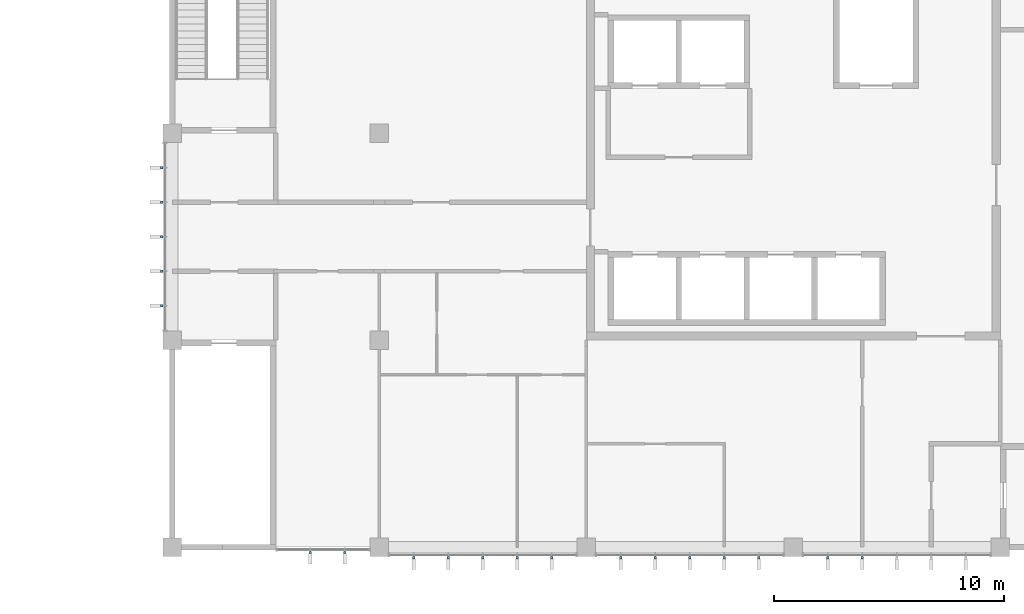
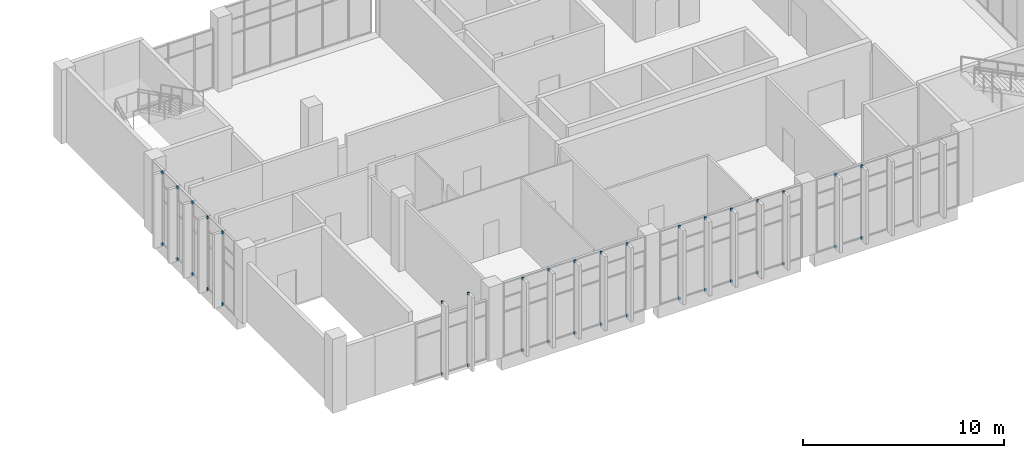
# One storey, part 16 of 19: 38 discrete accessories.
"""IFC4 building model written with IfcOpenShell, lengths in metres."""

from ifc_helpers import new_model, si_unit, direction, frame, origin, origin_2d, place, context, subcontext, project, spatial, rectangle, extrude, material, type_object, element, save


model = new_model("IFC4")

# Units and contexts
model_context = context("Model", 3, precision=1e-05, world=origin(), true_north=direction((0.0, 1.0)))
body_context = subcontext(model_context, "Body", "Model", "MODEL_VIEW")
ifc_project = project(units=[si_unit("LENGTHUNIT", "METRE"), si_unit("AREAUNIT", "SQUARE_METRE"), si_unit("VOLUMEUNIT", "CUBIC_METRE"), si_unit("PLANEANGLEUNIT", "RADIAN"), si_unit("MASSUNIT", "GRAM", prefix="KILO")], contexts=[model_context])

# Site, building, storey
site_placement = place(None, origin())
site = spatial("IfcSite", under=ifc_project, at=site_placement, CompositionType="ELEMENT")
building_placement = place(site_placement, origin())
building = spatial("IfcBuilding", under=site, at=building_placement, Name="Guidao Yard Department Store", CompositionType="ELEMENT")
storey_placement = place(building_placement, frame((0.0, 0.0, 33.0)))
storey = spatial("IfcBuildingStorey", under=building, at=storey_placement, Name="L07", CompositionType="ELEMENT", Elevation=33.0)

# Discrete accessories
ifc_material = material(Name="Steel Q355B", Category="steel")
discrete_accessory_type = type_object("IfcDiscreteAccessoryType", Name="Fin bracket BR3 steel plate", PredefinedType="BRACKET", material=ifc_material)
for number, where, z_axis, x_axis, name in (
    (1, (132.0, -0.22998046875, 0.0), (0.0, 0.0, 1.0), (-1.0, 0.0, 0.0), "Fin bracket"),
    (2, (132.0, -0.22998046875, 4.35009765625), (0.0, 0.0, 1.0), (-1.0, 0.0, 0.0), "Fin bracket"),
    (3, (133.5, -0.22998046875, 0.0), (0.0, 0.0, 1.0), (-1.0, 0.0, 0.0), "Fin bracket"),
    (4, (133.5, -0.22998046875, 4.35009765625), (0.0, 0.0, 1.0), (-1.0, 0.0, 0.0), "Fin bracket"),
    (5, (136.5, -0.4599609375, 0.0), (0.0, 0.0, 1.0), (-1.0, 0.0, 0.0), "Fin bracket"),
    (6, (136.5, -0.4599609375, 4.35009765625), (0.0, 0.0, 1.0), (-1.0, 0.0, 0.0), "Fin bracket"),
    (7, (138.0, -0.4599609375, 0.0), (0.0, 0.0, 1.0), (-1.0, 0.0, 0.0), "Fin bracket"),
    (8, (138.0, -0.4599609375, 4.35009765625), (0.0, 0.0, 1.0), (-1.0, 0.0, 0.0), "Fin bracket"),
    (9, (139.5, -0.4599609375, 0.0), (0.0, 0.0, 1.0), (-1.0, 0.0, 0.0), "Fin bracket"),
    (10, (139.5, -0.4599609375, 4.35009765625), (0.0, 0.0, 1.0), (-1.0, 0.0, 0.0), "Fin bracket"),
    (11, (141.0, -0.4599609375, 0.0), (0.0, 0.0, 1.0), (-1.0, 0.0, 0.0), "Fin bracket"),
    (12, (141.0, -0.4599609375, 4.35009765625), (0.0, 0.0, 1.0), (-1.0, 0.0, 0.0), "Fin bracket"),
    (13, (142.5, -0.4599609375, 0.0), (0.0, 0.0, 1.0), (-1.0, 0.0, 0.0), "Fin bracket"),
    (14, (142.5, -0.4599609375, 4.35009765625), (0.0, 0.0, 1.0), (-1.0, 0.0, 0.0), "Fin bracket"),
    (15, (145.5, -0.4599609375, 0.0), (0.0, 0.0, 1.0), (-1.0, 0.0, 0.0), "Fin bracket"),
    (16, (145.5, -0.4599609375, 4.35009765625), (0.0, 0.0, 1.0), (-1.0, 0.0, 0.0), "Fin bracket"),
    (17, (147.0, -0.4599609375, 0.0), (0.0, 0.0, 1.0), (-1.0, 0.0, 0.0), "Fin bracket"),
    (18, (147.0, -0.4599609375, 4.35009765625), (0.0, 0.0, 1.0), (-1.0, 0.0, 0.0), "Fin bracket"),
    (19, (148.5, -0.4599609375, 0.0), (0.0, 0.0, 1.0), (-1.0, 0.0, 0.0), "Fin bracket"),
    (20, (148.5, -0.4599609375, 4.35009765625), (0.0, 0.0, 1.0), (-1.0, 0.0, 0.0), "Fin bracket"),
    (21, (150.0, -0.4599609375, 0.0), (0.0, 0.0, 1.0), (-1.0, 0.0, 0.0), "Fin bracket"),
    (22, (150.0, -0.4599609375, 4.35009765625), (0.0, 0.0, 1.0), (-1.0, 0.0, 0.0), "Fin bracket"),
    (23, (151.5, -0.4599609375, 0.0), (0.0, 0.0, 1.0), (-1.0, 0.0, 0.0), "Fin bracket"),
    (24, (151.5, -0.4599609375, 4.35009765625), (0.0, 0.0, 1.0), (-1.0, 0.0, 0.0), "Fin bracket"),
    (25, (154.5, -0.4599609375, 0.0), (0.0, 0.0, 1.0), (-1.0, 0.0, 0.0), "Fin bracket"),
    (26, (154.5, -0.4599609375, 4.35009765625), (0.0, 0.0, 1.0), (-1.0, 0.0, 0.0), "Fin bracket"),
    (27, (156.0, -0.4599609375, 0.0), (0.0, 0.0, 1.0), (-1.0, 0.0, 0.0), "Fin bracket"),
    (28, (156.0, -0.4599609375, 4.35009765625), (0.0, 0.0, 1.0), (-1.0, 0.0, 0.0), "Fin bracket"),
    (29, (125.5400390625, 10.5, 0.0), (0.0, 0.0, 1.0), (0.0, 1.0, 0.0), "Fin bracket"),
    (30, (125.5400390625, 10.5, 4.35009765625), (0.0, 0.0, 1.0), (0.0, 1.0, 0.0), "Fin bracket"),
    (31, (125.5400390625, 12.0, 0.0), (0.0, 0.0, 1.0), (0.0, 1.0, 0.0), "Fin bracket"),
    (32, (125.5400390625, 12.0, 4.35009765625), (0.0, 0.0, 1.0), (0.0, 1.0, 0.0), "Fin bracket"),
    (33, (125.5400390625, 13.5, 0.0), (0.0, 0.0, 1.0), (0.0, 1.0, 0.0), "Fin bracket"),
    (34, (125.5400390625, 13.5, 4.35009765625), (0.0, 0.0, 1.0), (0.0, 1.0, 0.0), "Fin bracket"),
    (35, (125.5400390625, 15.0, 0.0), (0.0, 0.0, 1.0), (0.0, 1.0, 0.0), "Fin bracket"),
    (36, (125.5400390625, 15.0, 4.35009765625), (0.0, 0.0, 1.0), (0.0, 1.0, 0.0), "Fin bracket"),
    (37, (125.5400390625, 16.5, 0.0), (0.0, 0.0, 1.0), (0.0, 1.0, 0.0), "Fin bracket"),
    (38, (125.5400390625, 16.5, 4.35009765625), (0.0, 0.0, 1.0), (0.0, 1.0, 0.0), "Fin bracket"),
):
    element("IfcDiscreteAccessory", number, at=place(storey_placement, frame(where, z_axis=z_axis, x_axis=x_axis)), inside=storey, type_object=discrete_accessory_type, Name=name, PredefinedType="BRACKET", context=body_context, shape_type="SweptSolid", body=[
        extrude(rectangle(XDim=0.10009765625, YDim=0.10009765625, at=origin_2d()), origin(), (0.0, 0.0, 1.0), 0.14990234375),
    ])

save(model, "model.ifc")
